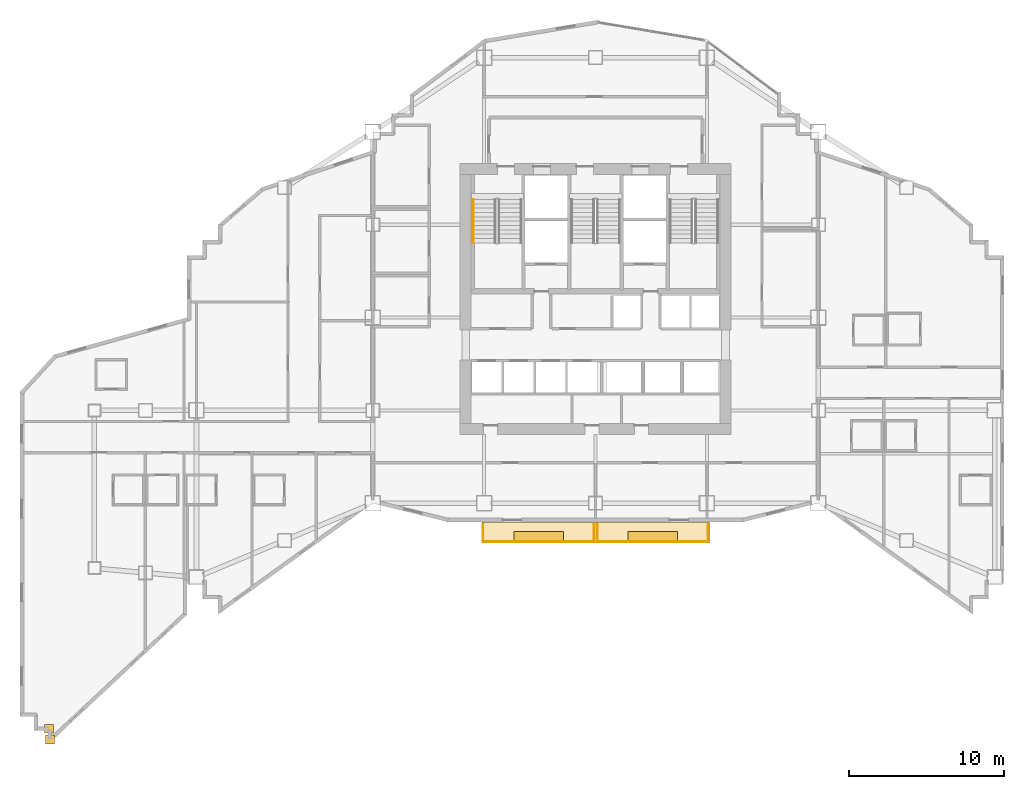
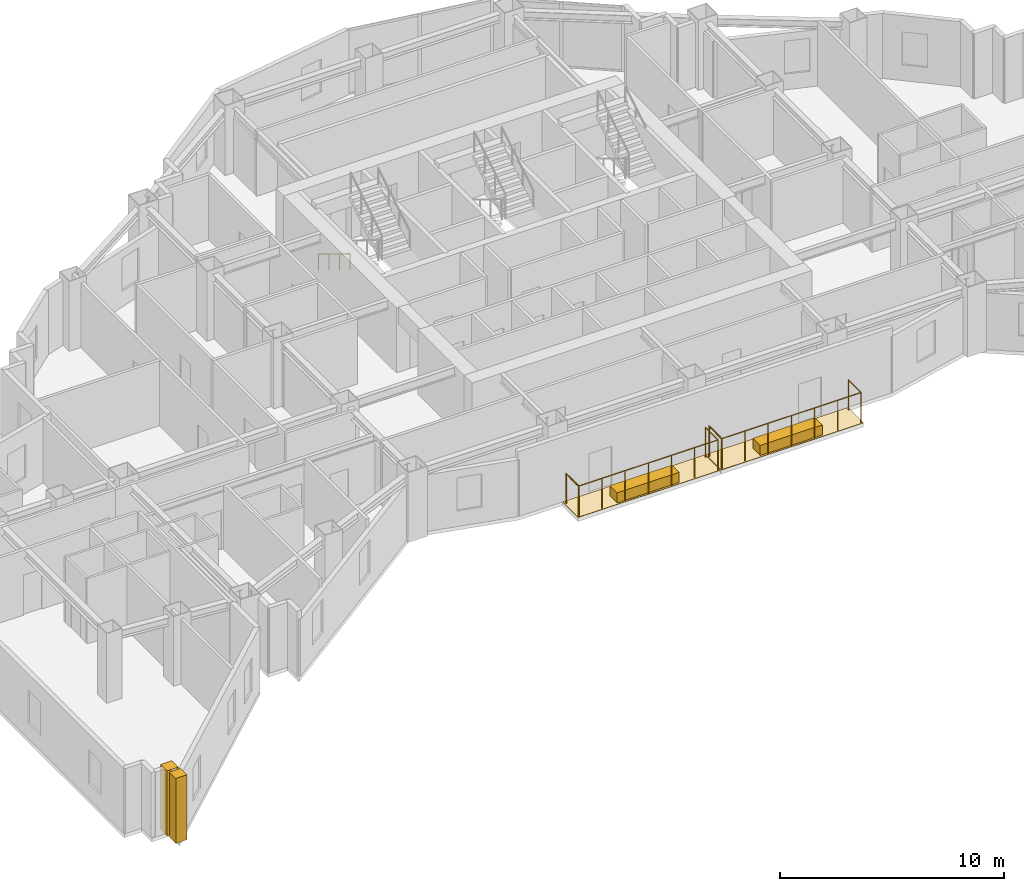
# One storey, part 13 of 14: 6 coverings, 5 railings.
"""IFC4 building model written with IfcOpenShell, lengths in metres."""

from ifc_helpers import new_model, si_unit, direction, frame, origin, origin_2d, place, context, subcontext, project, spatial, polyline, rectangle, circle, outline, extrude, material, layer, layer_set, type_object, element, save


model = new_model("IFC4")

# Units and contexts
model_context = context("Model", 3, precision=1e-05, world=origin(), true_north=direction((0.0, 1.0)))
body_context = subcontext(model_context, "Body", "Model", "MODEL_VIEW")
ifc_project = project(units=[si_unit("LENGTHUNIT", "METRE"), si_unit("AREAUNIT", "SQUARE_METRE"), si_unit("VOLUMEUNIT", "CUBIC_METRE"), si_unit("PLANEANGLEUNIT", "RADIAN"), si_unit("MASSUNIT", "GRAM", prefix="KILO")], contexts=[model_context])

# Site, building, storey
site_placement = place(None, origin())
site = spatial("IfcSite", under=ifc_project, at=site_placement, CompositionType="ELEMENT")
building_placement = place(site_placement, origin())
building = spatial("IfcBuilding", under=site, at=building_placement, Name="Haolan Belvedere Tower", CompositionType="ELEMENT")
storey_placement = place(building_placement, frame((0.0, 0.0, 132.60009765625)))
storey = spatial("IfcBuildingStorey", under=building, at=storey_placement, Name="L33", CompositionType="ELEMENT", Elevation=132.60009765625)

# Coverings
ifc_material_1 = material(Name="Pale champagne-silver anodised aluminium rainscreen cladding", Category="aluminium")
ifc_layer_1 = layer(ifc_material_1, 0.034912109375, Name="Pale champagne-silver anodised aluminium rainscreen cladding")
ifc_layer_set_1 = layer_set([ifc_layer_1], Name="Pale champagne-silver anodised aluminium rainscreen cladding")
covering_type_1 = type_object("IfcCoveringType", Name="COV-CLAD-35", PredefinedType="CLADDING", material=ifc_layer_set_1)
for number, where, z_axis, x_axis, name in (
    (1, (3.077392578125, 7.02001953125, 0.0), (0.0, 0.0, 1.0), (1.0, 0.0, 0.0), "L33 pale-metal serrated corner cladding trim 1"),
    (2, (3.1201171875, 6.318603515625, 0.0), (0.0, 0.0, 1.0), (1.0, 0.0, 0.0), "L33 pale-metal serrated corner cladding trim 2"),
):
    element("IfcCovering", number, at=place(storey_placement, frame(where, z_axis=z_axis, x_axis=x_axis)), inside=storey, type_object=covering_type_1, Name=name, PredefinedType="CLADDING", context=body_context, shape_type="SweptSolid", body=[
        extrude(rectangle(XDim=0.580078125, YDim=0.580078125, at=origin_2d()), origin(), (0.0, 0.0, 1.0), 3.5400390625),
    ])
ifc_material_2 = material(Name="Engineered lightweight planted garden soil substrate", Category="masonry")
ifc_layer_2 = layer(ifc_material_2, 0.550048828125, Name="Engineered lightweight planted garden soil substrate")
ifc_layer_set_2 = layer_set([ifc_layer_2], Name="Engineered lightweight planted garden soil substrate")
covering_type_2 = type_object("IfcCoveringType", Name="COV-PLANT-550", PredefinedType="MEMBRANE", material=ifc_layer_set_2)
for number, where, z_axis, x_axis, name in (
    (3, (34.715087890625, 19.43994140625, 0.0), (0.0, 0.0, 1.0), (1.0, 0.0, 0.0), "L33 structural tree balcony PLANTER box 1"),
    (4, (42.0849609375, 19.43994140625, 0.0), (0.0, 0.0, 1.0), (1.0, 0.0, 0.0), "L33 structural tree balcony PLANTER box 2"),
):
    element("IfcCovering", number, at=place(storey_placement, frame(where, z_axis=z_axis, x_axis=x_axis)), inside=storey, type_object=covering_type_2, Name=name, PredefinedType="MEMBRANE", context=body_context, shape_type="SweptSolid", body=[
        extrude(rectangle(XDim=3.199951171875, YDim=0.64990234375, at=origin_2d()), origin(), (0.0, 0.0, 1.0), 0.550048828125),
    ])
ifc_material_3 = material(Name="Elastomeric waterproof roofing membrane and stone pavers", Category="masonry")
ifc_layer_3 = layer(ifc_material_3, 0.02001953125, Name="Elastomeric waterproof roofing membrane and stone pavers")
ifc_layer_set_3 = layer_set([ifc_layer_3], Name="Elastomeric waterproof roofing membrane and stone pavers")
covering_type_3 = type_object("IfcCoveringType", Name="COV-ROOF-20", PredefinedType="ROOFING", material=ifc_layer_set_3)
covering_1_placement = place(storey_placement, frame((0.0, 0.0, -0.02001953125)))
element("IfcCovering", 5, at=covering_1_placement, inside=storey, type_object=covering_type_3, Name="L33 tree-balcony waterproof membrane 1", PredefinedType="ROOFING", context=body_context, shape_type="SweptSolid", body=[
    extrude(outline(polyline([(31.050048828125, 19.02001953125), (38.3798828125, 19.02001953125), (38.3798828125, 20.39990234375), (31.050048828125, 20.39990234375), (31.050048828125, 19.02001953125)])), origin(), (0.0, 0.0, 1.0), 0.02001953125),
])
covering_2_placement = place(storey_placement, frame((0.0, 0.0, -0.02001953125)))
element("IfcCovering", 6, at=covering_2_placement, inside=storey, type_object=covering_type_3, Name="L33 tree-balcony waterproof membrane 2", PredefinedType="ROOFING", context=body_context, shape_type="SweptSolid", body=[
    extrude(outline(polyline([(38.419921875, 19.02001953125), (45.75, 19.02001953125), (45.75, 20.39990234375), (38.419921875, 20.39990234375), (38.419921875, 19.02001953125)])), origin(), (0.0, 0.0, 1.0), 0.02001953125),
])

# Railings
ifc_material_4 = material(Name="Brushed stainless steel 304", Category="steel")
railing_type_1 = type_object("IfcRailingType", Name="RL-STAIR-HND-900", PredefinedType="HANDRAIL", material=ifc_material_4)
railing_1_placement = place(storey_placement, frame((30.5, 41.22998046875, 0.172607421875)))
element("IfcRailing", 7, at=railing_1_placement, inside=storey, type_object=railing_type_1, Name="L33 ST1 stair handrail 1", PredefinedType="HANDRAIL", context=body_context, shape_type="SweptSolid", body=[
    extrude(circle(Radius=0.02392578125, at=origin_2d()), frame((0.0, 0.0, 0.8759765625), z_axis=(0.0, -0.851089632645, 0.525020415988), x_axis=(1.0, 0.0, 0.0)), (0.0, 0.0, 1.0), 3.2900390625),
    extrude(circle(Radius=0.02099609375, at=origin_2d()), origin(), (0.0, 0.0, 1.0), 0.851806640625),
    extrude(circle(Radius=0.02099609375, at=origin_2d()), frame((0.0, -0.933349609375, 0.57568359375)), (0.0, 0.0, 1.0), 0.851806640625),
    extrude(circle(Radius=0.02099609375, at=origin_2d()), frame((0.0, -1.86669921875, 1.151611328125)), (0.0, 0.0, 1.0), 0.851806640625),
    extrude(circle(Radius=0.02099609375, at=origin_2d()), frame((0.0, -2.800048828125, 1.727294921875)), (0.0, 0.0, 1.0), 0.851806640625),
])
ifc_material_5 = material(Name="Anodised aluminium and laminated glass balustrade", Category="aluminium")
railing_type_2 = type_object("IfcRailingType", Name="RL-TER-BAL-1150", PredefinedType="BALUSTRADE", material=ifc_material_5)
railing_2_placement = place(storey_placement, frame((31.1298828125, 19.10009765625, 0.0)))
element("IfcRailing", 8, at=railing_2_placement, inside=storey, type_object=railing_type_2, Name="L33 outdoor perimeter balustrade BAL-L33-1-1", PredefinedType="BALUSTRADE", context=body_context, shape_type="SweptSolid", body=[
    extrude(circle(Radius=0.02392578125, at=origin_2d()), frame((0.0, 0.0, 1.6259765625), z_axis=(0.0, 1.0, 0.0), x_axis=(-1.0, 0.0, 0.0)), (0.0, 0.0, 1.0), 1.119873046875),
    extrude(circle(Radius=0.02099609375, at=origin_2d()), origin(), (0.0, 0.0, 1.0), 1.601806640625),
    extrude(circle(Radius=0.02099609375, at=origin_2d()), frame((0.0, 1.119873046875, 0.0)), (0.0, 0.0, 1.0), 1.601806640625),
])
railing_3_placement = place(storey_placement, frame((38.300048828125, 20.219970703125, 0.0)))
element("IfcRailing", 9, at=railing_3_placement, inside=storey, type_object=railing_type_2, Name="L33 outdoor perimeter balustrade BAL-L33-1-2", PredefinedType="BALUSTRADE", context=body_context, shape_type="SweptSolid", body=[
    extrude(circle(Radius=0.02392578125, at=origin_2d()), frame((0.0, 0.0, 1.6259765625), z_axis=(0.0, -1.0, 0.0), x_axis=(1.0, 0.0, 0.0)), (0.0, 0.0, 1.0), 1.119873046875),
    extrude(circle(Radius=0.02392578125, at=origin_2d()), frame((0.0, -1.119873046875, 1.6259765625), z_axis=(-1.0, 0.0, 0.0), x_axis=(0.0, -1.0, 0.0)), (0.0, 0.0, 1.0), 7.170166015625),
    extrude(circle(Radius=0.02099609375, at=origin_2d()), origin(), (0.0, 0.0, 1.0), 1.601806640625),
    extrude(circle(Radius=0.02099609375, at=origin_2d()), frame((0.0, -1.119873046875, 0.0)), (0.0, 0.0, 1.0), 1.601806640625),
    extrude(circle(Radius=0.02099609375, at=origin_2d()), frame((-1.195068359375, -1.119873046875, 0.0)), (0.0, 0.0, 1.0), 1.601806640625),
    extrude(circle(Radius=0.02099609375, at=origin_2d()), frame((-2.39013671875, -1.119873046875, 0.0)), (0.0, 0.0, 1.0), 1.601806640625),
    extrude(circle(Radius=0.02099609375, at=origin_2d()), frame((-3.5849609375, -1.119873046875, 0.0)), (0.0, 0.0, 1.0), 1.601806640625),
    extrude(circle(Radius=0.02099609375, at=origin_2d()), frame((-4.780029296875, -1.119873046875, 0.0)), (0.0, 0.0, 1.0), 1.601806640625),
    extrude(circle(Radius=0.02099609375, at=origin_2d()), frame((-5.97509765625, -1.119873046875, 0.0)), (0.0, 0.0, 1.0), 1.601806640625),
    extrude(circle(Radius=0.02099609375, at=origin_2d()), frame((-7.170166015625, -1.119873046875, 0.0)), (0.0, 0.0, 1.0), 1.601806640625),
])
railing_4_placement = place(storey_placement, frame((38.5, 19.10009765625, 0.0)))
element("IfcRailing", 10, at=railing_4_placement, inside=storey, type_object=railing_type_2, Name="L33 outdoor perimeter balustrade BAL-L33-2-1", PredefinedType="BALUSTRADE", context=body_context, shape_type="SweptSolid", body=[
    extrude(circle(Radius=0.02392578125, at=origin_2d()), frame((0.0, 0.0, 1.6259765625), z_axis=(0.0, 1.0, 0.0), x_axis=(-1.0, 0.0, 0.0)), (0.0, 0.0, 1.0), 1.119873046875),
    extrude(circle(Radius=0.02099609375, at=origin_2d()), origin(), (0.0, 0.0, 1.0), 1.601806640625),
    extrude(circle(Radius=0.02099609375, at=origin_2d()), frame((0.0, 1.119873046875, 0.0)), (0.0, 0.0, 1.0), 1.601806640625),
])
railing_5_placement = place(storey_placement, frame((45.669921875, 20.219970703125, 0.0)))
element("IfcRailing", 11, at=railing_5_placement, inside=storey, type_object=railing_type_2, Name="L33 outdoor perimeter balustrade BAL-L33-2-2", PredefinedType="BALUSTRADE", context=body_context, shape_type="SweptSolid", body=[
    extrude(circle(Radius=0.02392578125, at=origin_2d()), frame((0.0, 0.0, 1.6259765625), z_axis=(0.0, -1.0, 0.0), x_axis=(1.0, 0.0, 0.0)), (0.0, 0.0, 1.0), 1.119873046875),
    extrude(circle(Radius=0.02392578125, at=origin_2d()), frame((0.0, -1.119873046875, 1.6259765625), z_axis=(-1.0, 0.0, 0.0), x_axis=(0.0, -1.0, 0.0)), (0.0, 0.0, 1.0), 7.169921875),
    extrude(circle(Radius=0.02099609375, at=origin_2d()), origin(), (0.0, 0.0, 1.0), 1.601806640625),
    extrude(circle(Radius=0.02099609375, at=origin_2d()), frame((0.0, -1.119873046875, 0.0)), (0.0, 0.0, 1.0), 1.601806640625),
    extrude(circle(Radius=0.02099609375, at=origin_2d()), frame((-1.195068359375, -1.119873046875, 0.0)), (0.0, 0.0, 1.0), 1.601806640625),
    extrude(circle(Radius=0.02099609375, at=origin_2d()), frame((-2.389892578125, -1.119873046875, 0.0)), (0.0, 0.0, 1.0), 1.601806640625),
    extrude(circle(Radius=0.02099609375, at=origin_2d()), frame((-3.5849609375, -1.119873046875, 0.0)), (0.0, 0.0, 1.0), 1.601806640625),
    extrude(circle(Radius=0.02099609375, at=origin_2d()), frame((-4.780029296875, -1.119873046875, 0.0)), (0.0, 0.0, 1.0), 1.601806640625),
    extrude(circle(Radius=0.02099609375, at=origin_2d()), frame((-5.974853515625, -1.119873046875, 0.0)), (0.0, 0.0, 1.0), 1.601806640625),
    extrude(circle(Radius=0.02099609375, at=origin_2d()), frame((-7.169921875, -1.119873046875, 0.0)), (0.0, 0.0, 1.0), 1.601806640625),
])

save(model, "model.ifc")
